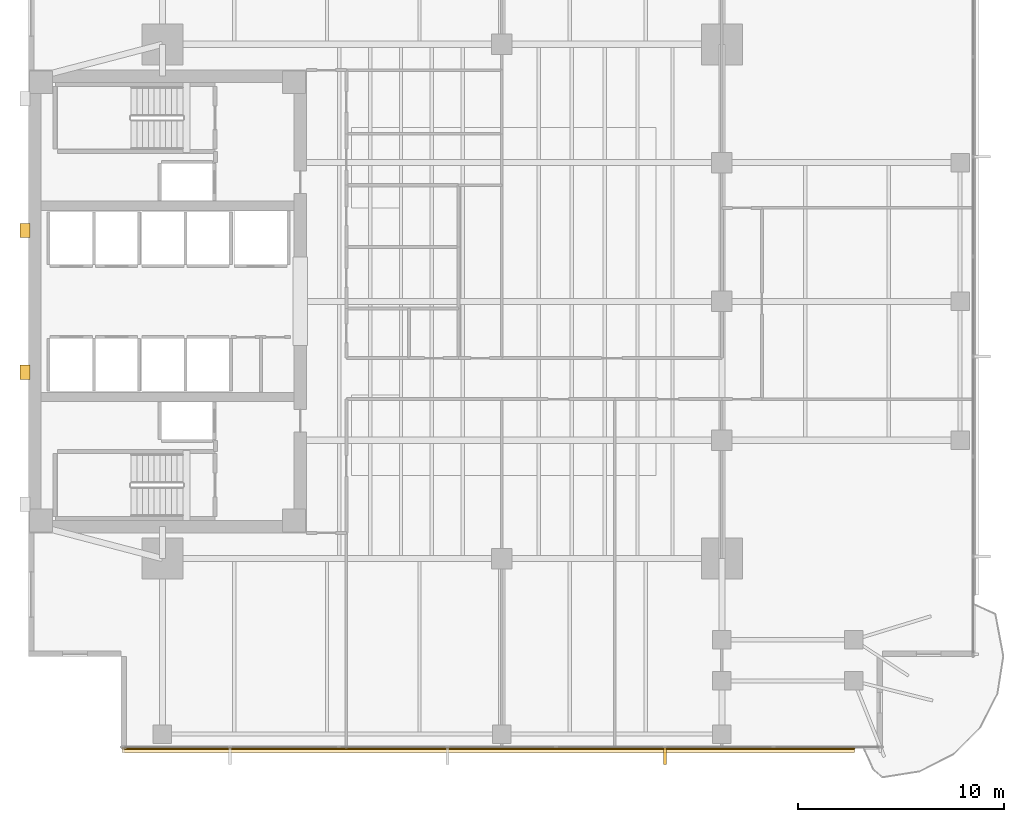
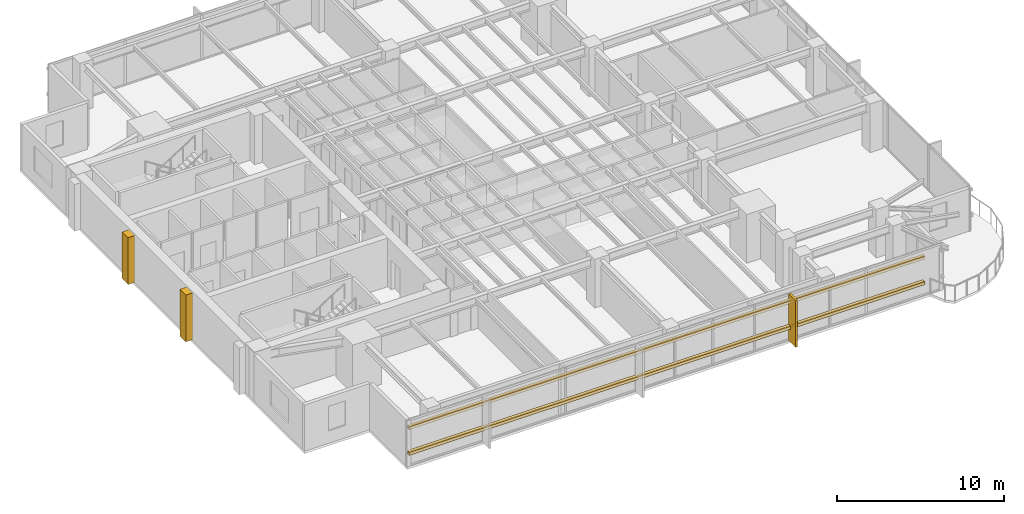
# One storey, part 12 of 15: 5 coverings, 2 shading devices.
"""IFC4 building model written with IfcOpenShell, lengths in metres."""

from ifc_helpers import new_model, si_unit, direction, frame, origin, origin_2d, place, context, subcontext, project, spatial, polyline, rectangle, outline, extrude, material, layer, layer_set, material_profile, profile_set, type_object, element, save


model = new_model("IFC4")

# Units and contexts
model_context = context("Model", 3, precision=1e-05, world=origin(), true_north=direction((0.0, 1.0)))
body_context = subcontext(model_context, "Body", "Model", "MODEL_VIEW")
ifc_project = project(units=[si_unit("LENGTHUNIT", "METRE"), si_unit("AREAUNIT", "SQUARE_METRE"), si_unit("VOLUMEUNIT", "CUBIC_METRE"), si_unit("PLANEANGLEUNIT", "RADIAN"), si_unit("MASSUNIT", "GRAM", prefix="KILO")], contexts=[model_context])

# Site, building, storey
site_placement = place(None, origin())
site = spatial("IfcSite", under=ifc_project, at=site_placement, CompositionType="ELEMENT")
building_placement = place(site_placement, origin())
building = spatial("IfcBuilding", under=site, at=building_placement, Name="Kinhvarn Gate Tower", CompositionType="ELEMENT")
storey_placement = place(building_placement, frame((0.0, 0.0, 112.89990234375)))
storey = spatial("IfcBuildingStorey", under=building, at=storey_placement, Name="L29", CompositionType="ELEMENT", Elevation=112.89990234375)

# Coverings
ifc_material_1 = material(Name="Fired architectural terracotta", Category="masonry")
ifc_layer_1 = layer(ifc_material_1, 0.239990234375)
ifc_layer_set_1 = layer_set([ifc_layer_1], Name="Fired architectural terracotta")
covering_type_1 = type_object("IfcCoveringType", Name="COV-BAG-220", PredefinedType="CLADDING", material=ifc_layer_set_1)
for number, where, name in (
    (1, (0.0, 0.0, 0.940185546875), "Terracotta Horizontal Sunscreen Band TBG-220 (L29)"),
    (2, (0.0, 0.0, 2.81005859375), "Terracotta Horizontal Sunscreen Band TBG-220 (L29)"),
):
    element("IfcCovering", number, at=place(storey_placement, frame(where)), inside=storey, type_object=covering_type_1, Name=name, PredefinedType="CLADDING", context=body_context, shape_type="SweptSolid", body=[
        extrude(outline(polyline([(9.0400390625, 3.570068359375), (44.64892578125, 3.570068359375), (44.64892578125, 3.330078125), (9.0400390625, 3.330078125), (9.0400390625, 3.570068359375)])), origin(), (0.0, 0.0, 1.0), 0.219970703125),
    ])
ifc_layer_2 = layer(ifc_material_1, 0.139892578125)
ifc_layer_set_2 = layer_set([ifc_layer_2], Name="Fired architectural terracotta")
covering_type_2 = type_object("IfcCoveringType", Name="COV-FIN-850", PredefinedType="CLADDING", material=ifc_layer_set_2)
covering_1_placement = place(storey_placement, frame((0.0, 0.0, -0.02001953125)))
element("IfcCovering", 3, at=covering_1_placement, inside=storey, type_object=covering_type_2, Name="Vertical Terracotta Expressive Fin TFN-850 (L29)", PredefinedType="CLADDING", context=body_context, shape_type="SweptSolid", body=[
    extrude(outline(polyline([(35.358642578125, 3.580078125), (35.49853515625, 3.580078125), (35.49853515625, 2.72998046875), (35.358642578125, 2.72998046875), (35.358642578125, 3.580078125)])), origin(), (0.0, 0.0, 1.0), 3.41015625),
])
ifc_material_2 = material(Name="Precast white architectural concrete C40/50", Category="concrete")
ifc_layer_3 = layer(ifc_material_2, 0.47998046875)
ifc_layer_set_3 = layer_set([ifc_layer_3], Name="Precast white architectural concrete C40/50")
covering_type_3 = type_object("IfcCoveringType", Name="COV-RIB-450", PredefinedType="CLADDING", material=ifc_layer_set_3)
covering_2_placement = place(storey_placement, frame((0.0, 0.0, -0.02001953125)))
element("IfcCovering", 4, at=covering_2_placement, inside=storey, type_object=covering_type_3, Name="West Core Sculptural Concrete Relief Rib CRB-450 (L29)", PredefinedType="CLADDING", context=body_context, shape_type="SweptSolid", body=[
    extrude(outline(polyline([(4.080078125, 21.449951171875), (4.56005859375, 21.449951171875), (4.56005859375, 22.14990234375), (4.080078125, 22.14990234375), (4.080078125, 21.449951171875)])), origin(), (0.0, 0.0, 1.0), 3.41015625),
])
covering_3_placement = place(storey_placement, frame((0.0, 0.0, -0.02001953125)))
element("IfcCovering", 5, at=covering_3_placement, inside=storey, type_object=covering_type_3, Name="West Core Sculptural Concrete Relief Rib CRB-450 (L29)", PredefinedType="CLADDING", context=body_context, shape_type="SweptSolid", body=[
    extrude(outline(polyline([(4.080078125, 28.35009765625), (4.56005859375, 28.35009765625), (4.56005859375, 29.050048828125), (4.080078125, 29.050048828125), (4.080078125, 28.35009765625)])), origin(), (0.0, 0.0, 1.0), 3.41015625),
])

# Shading devices
ifc_material_profile = material_profile(ifc_material_1, rectangle(XDim=0.050048828125, YDim=0.1201171875, at=origin_2d()), Name="TC 50x120")
ifc_profile_set = profile_set([ifc_material_profile], Name="Fired architectural terracotta")
shading_device_type = type_object("IfcShadingDeviceType", Name="SHD-BAG-140", PredefinedType="USERDEFINED", material=ifc_profile_set)
for number, where, z_axis, x_axis, name in (
    (6, (9.0400390625, 3.5, 1.050048828125), (1.0, 0.0, 0.0), (0.0, 1.0, 0.0), "Upper Tower Terracotta Baguette Screen Rod 50x120 mm (L29)"),
    (7, (9.0400390625, 3.5, 2.920166015625), (1.0, 0.0, 0.0), (0.0, 1.0, 0.0), "Upper Tower Terracotta Baguette Screen Rod 50x120 mm (L29)"),
):
    element("IfcShadingDevice", number, at=place(storey_placement, frame(where, z_axis=z_axis, x_axis=x_axis)), inside=storey, type_object=shading_device_type, Name=name, ObjectType="BAGUETTE", PredefinedType="USERDEFINED", context=body_context, shape_type="SweptSolid", body=[
        extrude(rectangle(XDim=0.050048828125, YDim=0.1201171875, at=origin_2d()), origin(), (0.0, 0.0, 1.0), 35.60888671875),
    ])

save(model, "model.ifc")
